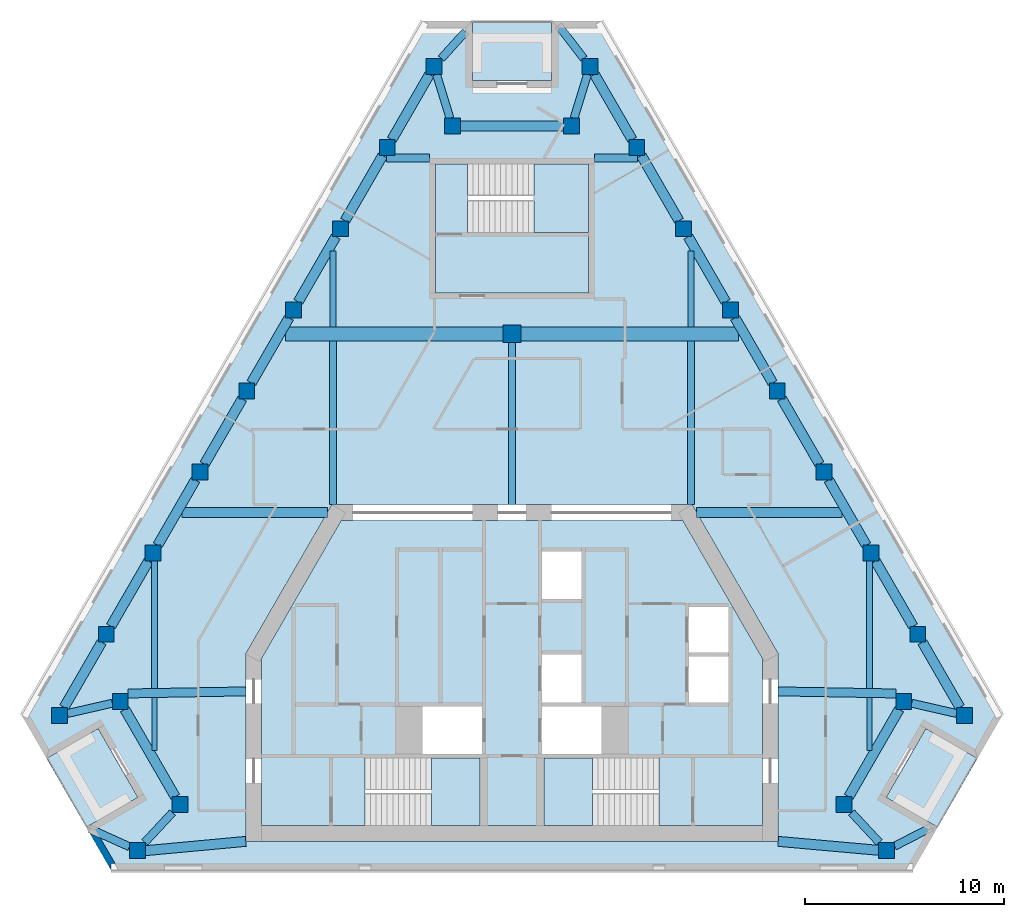
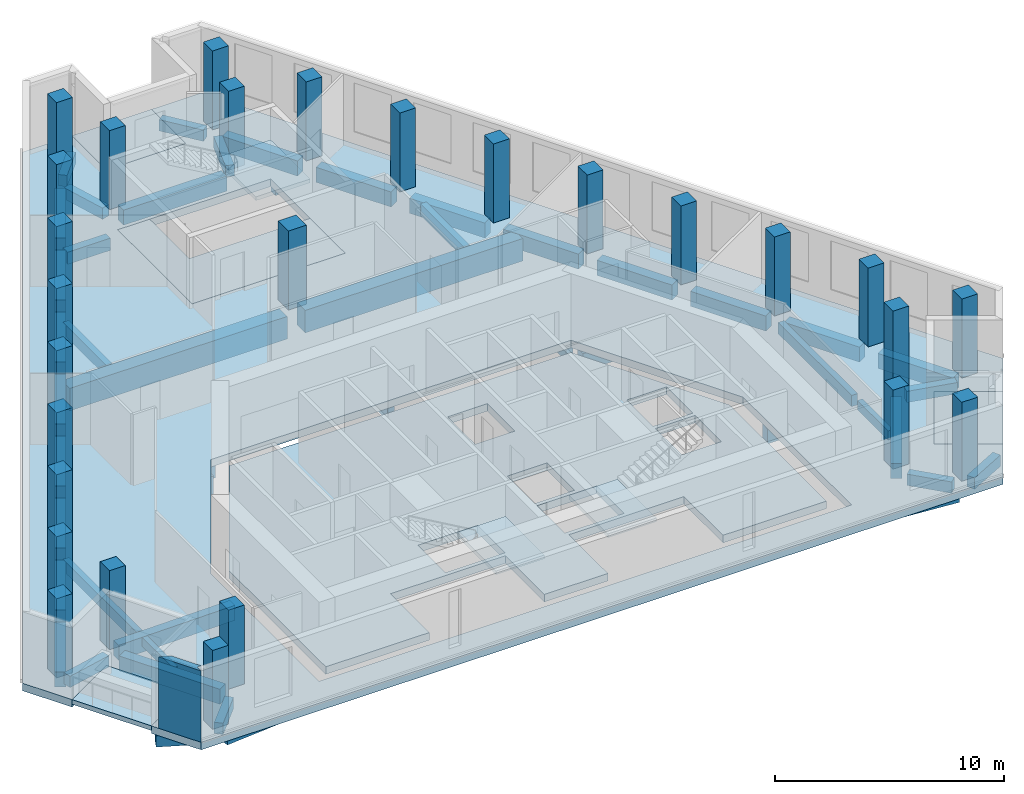
# One storey, part 1 of 8: 48 beams, 27 columns, 9 slabs, 1 wall, 3 elements without a shape of their own.
"""IFC4 building model written with IfcOpenShell, lengths in metres."""

from ifc_helpers import new_model, si_unit, direction, frame, origin, origin_2d, place, context, subcontext, project, spatial, polyline, rectangle, outline, extrude, material, layer, layer_set, material_profile, profile_set, type_object, element, aggregate, save


model = new_model("IFC4")

# Units and contexts
model_context = context("Model", 3, precision=1e-05, world=origin(), true_north=direction((0.0, 1.0)))
body_context = subcontext(model_context, "Body", "Model", "MODEL_VIEW")
ifc_project = project(units=[si_unit("LENGTHUNIT", "METRE"), si_unit("AREAUNIT", "SQUARE_METRE"), si_unit("VOLUMEUNIT", "CUBIC_METRE"), si_unit("PLANEANGLEUNIT", "RADIAN"), si_unit("MASSUNIT", "GRAM", prefix="KILO")], contexts=[model_context])

# Site, building, storey
site_placement = place(None, origin())
site = spatial("IfcSite", under=ifc_project, at=site_placement, CompositionType="ELEMENT")
building_placement = place(site_placement, origin())
building = spatial("IfcBuilding", under=site, at=building_placement, Name="Fogline Exchange Tower", CompositionType="ELEMENT")
storey_placement = place(building_placement, frame((0.0, 0.0, 318.300048828125)))
storey = spatial("IfcBuildingStorey", under=building, at=storey_placement, Name="L72", CompositionType="ELEMENT", Elevation=318.300048828125)

# Columns
ifc_material_1 = material(Name="Concrete C60", Category="concrete")
ifc_material_profile_1 = material_profile(ifc_material_1, rectangle(XDim=0.89990234375, YDim=0.89990234375, at=origin_2d()), Name="RC 900x900")
ifc_profile_set_1 = profile_set([ifc_material_profile_1], Name="Concrete C60")
column_type_1 = type_object("IfcColumnType", Name="C06", PredefinedType="COLUMN", material=ifc_profile_set_1)
column_placement = place(storey_placement, frame((0.0, 27.0, 0.0), z_axis=(0.0, 0.0, 1.0), x_axis=(1.0, 0.0, 0.0)))
element("IfcColumn", 1, at=column_placement, inside=storey, type_object=column_type_1, Name="IC-0-27", PredefinedType="COLUMN", context=body_context, shape_type="SweptSolid", body=[
    extrude(rectangle(XDim=0.89990234375, YDim=0.89990234375, at=origin_2d()), origin(), (0.0, 0.0, 1.0), 4.199951171875),
])
ifc_material_profile_2 = material_profile(ifc_material_1, rectangle(XDim=0.800048828125, YDim=0.800048828125, at=origin_2d()), Name="RC 800x800")
ifc_profile_set_2 = profile_set([ifc_material_profile_2], Name="Concrete C60")
column_type_2 = type_object("IfcColumnType", Name="C07", PredefinedType="COLUMN", material=ifc_profile_set_2)
for number, where, z_axis, x_axis, name in (
    (2, (-22.7802734375, 7.794189453125, 0.0), (0.0, 0.0, 1.0), (1.0, 0.0, 0.0), "SW-a"),
    (3, (-19.720947265625, 8.4951171875, 0.0), (0.0, 0.0, 1.0), (1.0, 0.0, 0.0), "SW-p4"),
    (4, (-16.720947265625, 3.299072265625, 0.0), (0.0, 0.0, 1.0), (1.0, 0.0, 0.0), "SW-p3"),
    (5, (-18.857666015625, 1.0, 0.0), (0.0, 0.0, 1.0), (1.0, 0.0, 0.0), "SW-b"),
    (6, (18.857666015625, 1.0, 0.0), (0.0, 0.0, 1.0), (1.0, 0.0, 0.0), "SE-a"),
    (7, (16.720947265625, 3.299072265625, 0.0), (0.0, 0.0, 1.0), (1.0, 0.0, 0.0), "SE-p4"),
    (8, (19.720947265625, 8.4951171875, 0.0), (0.0, 0.0, 1.0), (1.0, 0.0, 0.0), "SE-p3"),
    (9, (22.7802734375, 7.794189453125, 0.0), (0.0, 0.0, 1.0), (1.0, 0.0, 0.0), "SE-b"),
    (10, (20.423095703125, 11.876953125, 0.0), (0.0, 0.0, 1.0), (1.0, 0.0, 0.0), "E1"),
    (11, (18.06591796875, 15.959716796875, 0.0), (0.0, 0.0, 1.0), (1.0, 0.0, 0.0), "E2"),
    (12, (15.708740234375, 20.04248046875, 0.0), (0.0, 0.0, 1.0), (1.0, 0.0, 0.0), "E3"),
    (13, (13.3515625, 24.12548828125, 0.0), (0.0, 0.0, 1.0), (1.0, 0.0, 0.0), "E4"),
    (14, (10.994384765625, 28.208251953125, 0.0), (0.0, 0.0, 1.0), (1.0, 0.0, 0.0), "E5"),
    (15, (8.63720703125, 32.291015625, 0.0), (0.0, 0.0, 1.0), (1.0, 0.0, 0.0), "E6"),
    (16, (6.27978515625, 36.373779296875, 0.0), (0.0, 0.0, 1.0), (1.0, 0.0, 0.0), "E7"),
    (17, (3.922607421875, 40.456787109375, 0.0), (0.0, 0.0, 1.0), (1.0, 0.0, 0.0), "N-a"),
    (18, (3.0, 37.456787109375, 0.0), (0.0, 0.0, 1.0), (1.0, 0.0, 0.0), "N-p4"),
    (19, (-3.0, 37.456787109375, 0.0), (0.0, 0.0, 1.0), (1.0, 0.0, 0.0), "N-p3"),
    (20, (-3.922607421875, 40.456787109375, 0.0), (0.0, 0.0, 1.0), (1.0, 0.0, 0.0), "N-b"),
    (21, (-6.27978515625, 36.373779296875, 0.0), (0.0, 0.0, 1.0), (1.0, 0.0, 0.0), "W1"),
    (22, (-8.63720703125, 32.291015625, 0.0), (0.0, 0.0, 1.0), (1.0, 0.0, 0.0), "W2"),
    (23, (-10.994384765625, 28.208251953125, 0.0), (0.0, 0.0, 1.0), (1.0, 0.0, 0.0), "W3"),
    (24, (-13.3515625, 24.12548828125, 0.0), (0.0, 0.0, 1.0), (1.0, 0.0, 0.0), "W4"),
    (25, (-15.708740234375, 20.04248046875, 0.0), (0.0, 0.0, 1.0), (1.0, 0.0, 0.0), "W5"),
    (26, (-18.06591796875, 15.959716796875, 0.0), (0.0, 0.0, 1.0), (1.0, 0.0, 0.0), "W6"),
    (27, (-20.423095703125, 11.876953125, 0.0), (0.0, 0.0, 1.0), (1.0, 0.0, 0.0), "W7"),
):
    element("IfcColumn", number, at=place(storey_placement, frame(where, z_axis=z_axis, x_axis=x_axis)), inside=storey, type_object=column_type_2, Name=name, PredefinedType="COLUMN", context=body_context, shape_type="SweptSolid", body=[
        extrude(rectangle(XDim=0.800048828125, YDim=0.800048828125, at=origin_2d()), origin(), (0.0, 0.0, 1.0), 4.199951171875),
    ])

# Beams
ifc_material_2 = material(Name="Concrete C40", Category="concrete")
ifc_material_profile_3 = material_profile(ifc_material_2, rectangle(XDim=0.300048828125, YDim=0.60009765625, at=origin_2d()), Name="RC 300x600")
ifc_profile_set_3 = profile_set([ifc_material_profile_3], Name="Concrete C40")
beam_type_1 = type_object("IfcBeamType", Name="B06", PredefinedType="BEAM", material=ifc_profile_set_3)
beam_1_placement = place(storey_placement, frame((-18.0, 9.1435546875, -0.699951171875), z_axis=(0.0, 1.0, 0.0), x_axis=(-1.0, 0.0, 0.0)))
element("IfcBeam", 28, at=beam_1_placement, inside=storey, type_object=beam_type_1, Name="SB002", PredefinedType="BEAM", context=body_context, shape_type="SweptSolid", body=[
    extrude(rectangle(XDim=0.300048828125, YDim=0.60009765625, at=origin_2d()), origin(), (0.0, 0.0, 1.0), 6.416259765625),
])
for number, where, z_axis, x_axis, name in (
    (29, (-9.0, 27.35009765625, -0.699951171875), (0.0, 1.0, 0.0), (-1.0, 0.0, 0.0), "SB004"),
    (30, (9.0, 27.35009765625, -0.699951171875), (0.0, 1.0, 0.0), (-1.0, 0.0, 0.0), "SB007"),
):
    element("IfcBeam", number, at=place(storey_placement, frame(where, z_axis=z_axis, x_axis=x_axis)), inside=storey, type_object=beam_type_1, Name=name, PredefinedType="BEAM", context=body_context, shape_type="SweptSolid", body=[
        extrude(rectangle(XDim=0.300048828125, YDim=0.60009765625, at=origin_2d()), origin(), (0.0, 0.0, 1.0), 3.812255859375),
    ])
beam_2_placement = place(storey_placement, frame((18.0, 9.1435546875, -0.699951171875), z_axis=(0.0, 1.0, 0.0), x_axis=(-1.0, 0.0, 0.0)))
element("IfcBeam", 31, at=beam_2_placement, inside=storey, type_object=beam_type_1, Name="SB009", PredefinedType="BEAM", context=body_context, shape_type="SweptSolid", body=[
    extrude(rectangle(XDim=0.300048828125, YDim=0.60009765625, at=origin_2d()), origin(), (0.0, 0.0, 1.0), 6.416259765625),
])
ifc_material_profile_4 = material_profile(ifc_material_2, rectangle(XDim=0.25, YDim=0.5, at=origin_2d()), Name="RC 250x500")
ifc_profile_set_4 = profile_set([ifc_material_profile_4], Name="Concrete C40")
beam_type_2 = type_object("IfcBeamType", Name="B08", PredefinedType="BEAM", material=ifc_profile_set_4)
for number, where, z_axis, x_axis, name in (
    (32, (-18.0, 6.014404296875, -0.650146484375), (0.0, 1.0, 0.0), (-1.0, 0.0, 0.0), "SB001"),
    (33, (18.0, 6.014404296875, -0.650146484375), (0.0, 1.0, 0.0), (-1.0, 0.0, 0.0), "SB008"),
):
    element("IfcBeam", number, at=place(storey_placement, frame(where, z_axis=z_axis, x_axis=x_axis)), inside=storey, type_object=beam_type_2, Name=name, PredefinedType="BEAM", context=body_context, shape_type="SweptSolid", body=[
        extrude(rectangle(XDim=0.25, YDim=0.5, at=origin_2d()), origin(), (0.0, 0.0, 1.0), 2.67919921875),
    ])
ifc_material_profile_5 = material_profile(ifc_material_2, rectangle(XDim=0.5, YDim=0.800048828125, at=origin_2d()), Name="RC 500x800")
ifc_profile_set_5 = profile_set([ifc_material_profile_5], Name="Concrete C40")
beam_type_3 = type_object("IfcBeamType", Name="B10", PredefinedType="BEAM", material=ifc_profile_set_5)
beam_3_placement = place(storey_placement, frame((-19.489990234375, 8.09521484375, -0.800048828125), z_axis=(0.499987508774, -0.866032615477, 0.0), x_axis=(0.866032615477, 0.499987508774, 0.0)))
element("IfcBeam", 34, at=beam_3_placement, inside=storey, type_object=beam_type_3, Name="RB002", PredefinedType="BEAM", context=body_context, shape_type="SweptSolid", body=[
    extrude(rectangle(XDim=0.5, YDim=0.800048828125, at=origin_2d()), origin(), (0.0, 0.0, 1.0), 5.076416015625),
])
beam_4_placement = place(storey_placement, frame((-18.457763671875, 0.981689453125, -0.800048828125), z_axis=(0.995741736268, 0.092186737952, 0.0), x_axis=(-0.092186737952, 0.995741736268, 0.0)))
element("IfcBeam", 35, at=beam_4_placement, inside=storey, type_object=beam_type_3, Name="RB004", PredefinedType="BEAM", context=body_context, shape_type="SweptSolid", body=[
    extrude(rectangle(XDim=0.5, YDim=0.800048828125, at=origin_2d()), origin(), (0.0, 0.0, 1.0), 5.07958984375),
])
beam_5_placement = place(storey_placement, frame((13.39990234375, 1.449951171875, -0.800048828125), z_axis=(0.996066324908, -0.088610814153, 0.0), x_axis=(0.088610814153, 0.996066324908, 0.0)))
element("IfcBeam", 36, at=beam_5_placement, inside=storey, type_object=beam_type_3, Name="RB005", PredefinedType="BEAM", context=body_context, shape_type="SweptSolid", body=[
    extrude(rectangle(XDim=0.5, YDim=0.800048828125, at=origin_2d()), origin(), (0.0, 0.0, 1.0), 5.077880859375),
])
beam_6_placement = place(storey_placement, frame((16.951904296875, 3.698974609375, -0.800048828125), z_axis=(0.499987508774, 0.866032615477, 0.0), x_axis=(-0.866032615477, 0.499987508774, 0.0)))
element("IfcBeam", 37, at=beam_6_placement, inside=storey, type_object=beam_type_3, Name="RB007", PredefinedType="BEAM", context=body_context, shape_type="SweptSolid", body=[
    extrude(rectangle(XDim=0.5, YDim=0.800048828125, at=origin_2d()), origin(), (0.0, 0.0, 1.0), 5.076416015625),
])
beam_7_placement = place(storey_placement, frame((22.54931640625, 8.194091796875, -0.800048828125), z_axis=(-0.499969613651, 0.86604294664, 0.0), x_axis=(-0.86604294664, -0.499969613651, 0.0)))
element("IfcBeam", 38, at=beam_7_placement, inside=storey, type_object=beam_type_3, Name="RB009", PredefinedType="BEAM", context=body_context, shape_type="SweptSolid", body=[
    extrude(rectangle(XDim=0.5, YDim=0.800048828125, at=origin_2d()), origin(), (0.0, 0.0, 1.0), 3.790771484375),
])
for number, where, z_axis, x_axis, name in (
    (39, (20.192138671875, 12.277099609375, -0.800048828125), (-0.499997501644, 0.866026846206, 0.0), (-0.866026846206, -0.499997501644, 0.0), "RB010"),
    (40, (17.8349609375, 16.35986328125, -0.800048828125), (-0.499997501644, 0.866026846206, 0.0), (-0.866026846206, -0.499997501644, 0.0), "RB011"),
    (41, (15.477783203125, 20.442626953125, -0.800048828125), (-0.499997501644, 0.866026846206, 0.0), (-0.866026846206, -0.499997501644, 0.0), "RB012"),
):
    element("IfcBeam", number, at=place(storey_placement, frame(where, z_axis=z_axis, x_axis=x_axis)), inside=storey, type_object=beam_type_3, Name=name, PredefinedType="BEAM", context=body_context, shape_type="SweptSolid", body=[
        extrude(rectangle(XDim=0.5, YDim=0.800048828125, at=origin_2d()), origin(), (0.0, 0.0, 1.0), 3.79052734375),
    ])
for number, where, z_axis, x_axis, name in (
    (42, (13.12060546875, 24.525390625, -0.800048828125), (-0.500045805297, 0.865998956469, 0.0), (-0.865998956469, -0.500045805297, 0.0), "RB013"),
    (43, (10.76318359375, 28.608154296875, -0.800048828125), (-0.499969613651, 0.86604294664, 0.0), (-0.86604294664, -0.499969613651, 0.0), "RB014"),
    (44, (8.406005859375, 32.69091796875, -0.800048828125), (-0.499969613651, 0.86604294664, 0.0), (-0.86604294664, -0.499969613651, 0.0), "RB015"),
    (45, (6.048828125, 36.773681640625, -0.800048828125), (-0.499969613651, 0.86604294664, 0.0), (-0.86604294664, -0.499969613651, 0.0), "RB016"),
):
    element("IfcBeam", number, at=place(storey_placement, frame(where, z_axis=z_axis, x_axis=x_axis)), inside=storey, type_object=beam_type_3, Name=name, PredefinedType="BEAM", context=body_context, shape_type="SweptSolid", body=[
        extrude(rectangle(XDim=0.5, YDim=0.800048828125, at=origin_2d()), origin(), (0.0, 0.0, 1.0), 3.790771484375),
    ])
beam_8_placement = place(storey_placement, frame((2.60009765625, 37.456787109375, -0.800048828125), z_axis=(-1.0, 0.0, 0.0), x_axis=(0.0, -1.0, 0.0)))
element("IfcBeam", 46, at=beam_8_placement, inside=storey, type_object=beam_type_3, Name="RB018", PredefinedType="BEAM", context=body_context, shape_type="SweptSolid", body=[
    extrude(rectangle(XDim=0.5, YDim=0.800048828125, at=origin_2d()), origin(), (0.0, 0.0, 1.0), 5.2001953125),
])
for number, where, z_axis, x_axis, name in (
    (47, (-4.153564453125, 40.056640625, -0.800048828125), (-0.499969613651, -0.86604294664, 0.0), (0.86604294664, -0.499969613651, 0.0), "RB020"),
    (48, (-6.5107421875, 35.973876953125, -0.800048828125), (-0.499969613651, -0.86604294664, 0.0), (0.86604294664, -0.499969613651, 0.0), "RB021"),
    (49, (-8.867919921875, 31.89111328125, -0.800048828125), (-0.499969613651, -0.86604294664, 0.0), (0.86604294664, -0.499969613651, 0.0), "RB022"),
    (50, (-11.22509765625, 27.80810546875, -0.800048828125), (-0.500045805297, -0.865998956469, 0.0), (0.865998956469, -0.500045805297, 0.0), "RB023"),
):
    element("IfcBeam", number, at=place(storey_placement, frame(where, z_axis=z_axis, x_axis=x_axis)), inside=storey, type_object=beam_type_3, Name=name, PredefinedType="BEAM", context=body_context, shape_type="SweptSolid", body=[
        extrude(rectangle(XDim=0.5, YDim=0.800048828125, at=origin_2d()), origin(), (0.0, 0.0, 1.0), 3.790771484375),
    ])
for number, where, z_axis, x_axis, name in (
    (51, (-13.58251953125, 23.725341796875, -0.800048828125), (-0.499997501644, -0.866026846206, 0.0), (0.866026846206, -0.499997501644, 0.0), "RB024"),
    (52, (-15.939697265625, 19.642578125, -0.800048828125), (-0.499997501644, -0.866026846206, 0.0), (0.866026846206, -0.499997501644, 0.0), "RB025"),
    (53, (-18.296875, 15.559814453125, -0.800048828125), (-0.499997501644, -0.866026846206, 0.0), (0.866026846206, -0.499997501644, 0.0), "RB026"),
):
    element("IfcBeam", number, at=place(storey_placement, frame(where, z_axis=z_axis, x_axis=x_axis)), inside=storey, type_object=beam_type_3, Name=name, PredefinedType="BEAM", context=body_context, shape_type="SweptSolid", body=[
        extrude(rectangle(XDim=0.5, YDim=0.800048828125, at=origin_2d()), origin(), (0.0, 0.0, 1.0), 3.79052734375),
    ])
beam_9_placement = place(storey_placement, frame((-20.654052734375, 11.47705078125, -0.800048828125), z_axis=(-0.499969613651, -0.86604294664, 0.0), x_axis=(0.86604294664, -0.499969613651, 0.0)))
element("IfcBeam", 54, at=beam_9_placement, inside=storey, type_object=beam_type_3, Name="RB027", PredefinedType="BEAM", context=body_context, shape_type="SweptSolid", body=[
    extrude(rectangle(XDim=0.5, YDim=0.800048828125, at=origin_2d()), origin(), (0.0, 0.0, 1.0), 3.790771484375),
])
ifc_material_profile_6 = material_profile(ifc_material_2, rectangle(XDim=0.39990234375, YDim=0.60009765625, at=origin_2d()), Name="RC 400x600")
ifc_profile_set_6 = profile_set([ifc_material_profile_6], Name="Concrete C40")
beam_type_4 = type_object("IfcBeamType", Name="B11", PredefinedType="BEAM", material=ifc_profile_set_6)
beam_10_placement = place(storey_placement, frame((-22.38037109375, 7.885986328125, -0.699951171875), z_axis=(0.974753812703, 0.223282342834, 0.0), x_axis=(-0.223282342834, 0.974753812703, 0.0)))
element("IfcBeam", 55, at=beam_10_placement, inside=storey, type_object=beam_type_4, Name="RB001", PredefinedType="BEAM", context=body_context, shape_type="SweptSolid", body=[
    extrude(rectangle(XDim=0.39990234375, YDim=0.60009765625, at=origin_2d()), origin(), (0.0, 0.0, 1.0), 2.318115234375),
])
for number, where, z_axis, x_axis, name in (
    (56, (-17.0927734375, 2.89892578125, -0.699951171875), (-0.680743909802, -0.732521487239, 0.0), (0.732521487239, -0.680743909802, 0.0), "RB003"),
    (57, (18.48583984375, 1.39990234375, -0.699951171875), (-0.680743909802, 0.732521487239, 0.0), (-0.732521487239, -0.680743909802, 0.0), "RB006"),
):
    element("IfcBeam", number, at=place(storey_placement, frame(where, z_axis=z_axis, x_axis=x_axis)), inside=storey, type_object=beam_type_4, Name=name, PredefinedType="BEAM", context=body_context, shape_type="SweptSolid", body=[
        extrude(rectangle(XDim=0.39990234375, YDim=0.60009765625, at=origin_2d()), origin(), (0.0, 0.0, 1.0), 2.04638671875),
    ])
beam_11_placement = place(storey_placement, frame((20.120849609375, 8.403564453125, -0.699951171875), z_axis=(0.974753812703, -0.223282342834, 0.0), x_axis=(0.223282342834, 0.974753812703, 0.0)))
element("IfcBeam", 58, at=beam_11_placement, inside=storey, type_object=beam_type_4, Name="RB008", PredefinedType="BEAM", context=body_context, shape_type="SweptSolid", body=[
    extrude(rectangle(XDim=0.39990234375, YDim=0.60009765625, at=origin_2d()), origin(), (0.0, 0.0, 1.0), 2.318115234375),
])
for number, where, z_axis, x_axis, name in (
    (59, (3.799560546875, 40.056640625, -0.699951171875), (-0.293929314998, -0.955827158949, 0.0), (0.955827158949, -0.293929314998, 0.0), "RB017"),
    (60, (-3.123046875, 37.856689453125, -0.699951171875), (-0.293929314998, 0.955827158949, 0.0), (-0.955827158949, -0.293929314998, 0.0), "RB019"),
):
    element("IfcBeam", number, at=place(storey_placement, frame(where, z_axis=z_axis, x_axis=x_axis)), inside=storey, type_object=beam_type_4, Name=name, PredefinedType="BEAM", context=body_context, shape_type="SweptSolid", body=[
        extrude(rectangle(XDim=0.39990234375, YDim=0.60009765625, at=origin_2d()), origin(), (0.0, 0.0, 1.0), 2.301513671875),
    ])
beam_12_placement = place(storey_placement, frame((3.61572265625, 40.856689453125, -0.699951171875), z_axis=(-0.608725000028, 0.793381291903, 0.0), x_axis=(-0.793381291903, -0.608725000028, 0.0)))
element("IfcBeam", 61, at=beam_12_placement, inside=storey, type_object=beam_type_4, Name="SP028", PredefinedType="BEAM", context=body_context, shape_type="SweptSolid", body=[
    extrude(rectangle(XDim=0.39990234375, YDim=0.60009765625, at=origin_2d()), origin(), (0.0, 0.0, 1.0), 2.095703125),
])
beam_13_placement = place(storey_placement, frame((-3.5615234375, 40.856689453125, -0.699951171875), z_axis=(0.670231736152, 0.742151884626, 0.0), x_axis=(-0.742151884626, 0.670231736152, 0.0)))
element("IfcBeam", 62, at=beam_13_placement, inside=storey, type_object=beam_type_4, Name="SP029", PredefinedType="BEAM", context=body_context, shape_type="SweptSolid", body=[
    extrude(rectangle(XDim=0.39990234375, YDim=0.60009765625, at=origin_2d()), origin(), (0.0, 0.0, 1.0), 1.82958984375),
])
beam_14_placement = place(storey_placement, frame((-19.2578125, 1.1806640625, -0.699951171875), z_axis=(-0.911432419254, 0.411449808765, 0.0), x_axis=(-0.411449808765, -0.911432419254, 0.0)))
element("IfcBeam", 63, at=beam_14_placement, inside=storey, type_object=beam_type_4, Name="SP030", PredefinedType="BEAM", context=body_context, shape_type="SweptSolid", body=[
    extrude(rectangle(XDim=0.39990234375, YDim=0.60009765625, at=origin_2d()), origin(), (0.0, 0.0, 1.0), 2.19775390625),
])
beam_15_placement = place(storey_placement, frame((19.2578125, 1.205810546875, -0.699951171875), z_axis=(0.889100961616, 0.457711131668, 0.0), x_axis=(-0.457711131668, 0.889100961616, 0.0)))
element("IfcBeam", 64, at=beam_15_placement, inside=storey, type_object=beam_type_4, Name="SP031", PredefinedType="BEAM", context=body_context, shape_type="SweptSolid", body=[
    extrude(rectangle(XDim=0.39990234375, YDim=0.60009765625, at=origin_2d()), origin(), (0.0, 0.0, 1.0), 2.09619140625),
])
ifc_material_profile_7 = material_profile(ifc_material_2, rectangle(XDim=0.39990234375, YDim=0.64990234375, at=origin_2d()), Name="RC 400x650")
ifc_profile_set_7 = profile_set([ifc_material_profile_7], Name="Concrete C40")
beam_type_5 = type_object("IfcBeamType", Name="B13", PredefinedType="BEAM", material=ifc_profile_set_7)
for number, where, z_axis, x_axis, name in (
    (65, (-6.308349609375, 35.85693359375, -0.72509765625), (1.0, 0.0, 0.0), (0.0, 1.0, 0.0), "GB007"),
    (66, (4.14990234375, 35.85693359375, -0.72509765625), (1.0, 0.0, 0.0), (0.0, 1.0, 0.0), "GB008"),
):
    element("IfcBeam", number, at=place(storey_placement, frame(where, z_axis=z_axis, x_axis=x_axis)), inside=storey, type_object=beam_type_5, Name=name, PredefinedType="BEAM", context=body_context, shape_type="SweptSolid", body=[
        extrude(rectangle(XDim=0.39990234375, YDim=0.64990234375, at=origin_2d()), origin(), (0.0, 0.0, 1.0), 2.158447265625),
    ])
ifc_material_profile_8 = material_profile(ifc_material_2, rectangle(XDim=0.5, YDim=0.949951171875, at=origin_2d()), Name="RC 500x950")
ifc_profile_set_8 = profile_set([ifc_material_profile_8], Name="Concrete C40")
beam_type_6 = type_object("IfcBeamType", Name="B14", PredefinedType="BEAM", material=ifc_profile_set_8)
for number, where, z_axis, x_axis, name in (
    (67, (-16.599365234375, 18.0, -0.875), (1.0, 0.0, 0.0), (0.0, 1.0, 0.0), "GB003"),
    (68, (9.296142578125, 18.0, -0.875), (1.0, 0.0, 0.0), (0.0, 1.0, 0.0), "GB004"),
):
    element("IfcBeam", number, at=place(storey_placement, frame(where, z_axis=z_axis, x_axis=x_axis)), inside=storey, type_object=beam_type_6, Name=name, PredefinedType="BEAM", context=body_context, shape_type="SweptSolid", body=[
        extrude(rectangle(XDim=0.5, YDim=0.949951171875, at=origin_2d()), origin(), (0.0, 0.0, 1.0), 7.30322265625),
    ])
ifc_material_profile_9 = material_profile(ifc_material_2, rectangle(XDim=0.35009765625, YDim=0.64990234375, at=origin_2d()), Name="RC 350x650")
ifc_profile_set_9 = profile_set([ifc_material_profile_9], Name="Concrete C40")
beam_type_7 = type_object("IfcBeamType", Name="B16", PredefinedType="BEAM", material=ifc_profile_set_9)
beam_16_placement = place(storey_placement, frame((-9.0, 18.39990234375, -0.72509765625), z_axis=(0.0, 1.0, 0.0), x_axis=(-1.0, 0.0, 0.0)))
element("IfcBeam", 69, at=beam_16_placement, inside=storey, type_object=beam_type_7, Name="SB003", PredefinedType="BEAM", context=body_context, shape_type="SweptSolid", body=[
    extrude(rectangle(XDim=0.35009765625, YDim=0.64990234375, at=origin_2d()), origin(), (0.0, 0.0, 1.0), 8.25),
])
beam_17_placement = place(storey_placement, frame((0.0, 18.39990234375, -0.72509765625), z_axis=(0.0, 1.0, 0.0), x_axis=(-1.0, 0.0, 0.0)))
element("IfcBeam", 70, at=beam_17_placement, inside=storey, type_object=beam_type_7, Name="SB005", PredefinedType="BEAM", context=body_context, shape_type="SweptSolid", body=[
    extrude(rectangle(XDim=0.35009765625, YDim=0.64990234375, at=origin_2d()), origin(), (0.0, 0.0, 1.0), 8.150146484375),
])
beam_18_placement = place(storey_placement, frame((9.0, 18.39990234375, -0.72509765625), z_axis=(0.0, 1.0, 0.0), x_axis=(-1.0, 0.0, 0.0)))
element("IfcBeam", 71, at=beam_18_placement, inside=storey, type_object=beam_type_7, Name="SB006", PredefinedType="BEAM", context=body_context, shape_type="SweptSolid", body=[
    extrude(rectangle(XDim=0.35009765625, YDim=0.64990234375, at=origin_2d()), origin(), (0.0, 0.0, 1.0), 8.25),
])
ifc_material_profile_10 = material_profile(ifc_material_2, rectangle(XDim=0.699951171875, YDim=1.199951171875, at=origin_2d()), Name="RC 700x1200")
ifc_profile_set_10 = profile_set([ifc_material_profile_10], Name="Concrete C40")
beam_type_8 = type_object("IfcBeamType", Name="B17", PredefinedType="BEAM", material=ifc_profile_set_10)
for number, where, z_axis, x_axis, name in (
    (72, (-11.4033203125, 27.0, -1.0), (1.0, 0.0, 0.0), (0.0, 1.0, 0.0), "GB005"),
    (73, (0.449951171875, 27.0, -1.0), (1.0, 0.0, 0.0), (0.0, 1.0, 0.0), "GB006"),
):
    element("IfcBeam", number, at=place(storey_placement, frame(where, z_axis=z_axis, x_axis=x_axis)), inside=storey, type_object=beam_type_8, Name=name, PredefinedType="BEAM", context=body_context, shape_type="SweptSolid", body=[
        extrude(rectangle(XDim=0.699951171875, YDim=1.199951171875, at=origin_2d()), origin(), (0.0, 0.0, 1.0), 10.953369140625),
    ])
ifc_material_profile_11 = material_profile(ifc_material_2, rectangle(XDim=0.449951171875, YDim=0.800048828125, at=origin_2d()), Name="RC 450x800")
ifc_profile_set_11 = profile_set([ifc_material_profile_11], Name="Concrete C40")
beam_type_9 = type_object("IfcBeamType", Name="B18", PredefinedType="BEAM", material=ifc_profile_set_11)
for number, where, z_axis, x_axis, name in (
    (74, (-19.32080078125, 8.895263671875, -0.800048828125), (0.9998435817, 0.017686495817, 0.0), (-0.017686495817, 0.9998435817, 0.0), "GB001"),
    (75, (13.39990234375, 9.0, -0.800048828125), (0.9998435817, -0.017686495817, 0.0), (0.017686495817, 0.9998435817, 0.0), "GB002"),
):
    element("IfcBeam", number, at=place(storey_placement, frame(where, z_axis=z_axis, x_axis=x_axis)), inside=storey, type_object=beam_type_9, Name=name, PredefinedType="BEAM", context=body_context, shape_type="SweptSolid", body=[
        extrude(rectangle(XDim=0.449951171875, YDim=0.800048828125, at=origin_2d()), origin(), (0.0, 0.0, 1.0), 5.921875),
    ])

# Slabs
ifc_layer_1 = layer(ifc_material_2, 0.25)
ifc_layer_set_1 = layer_set([ifc_layer_1], Name="DK1")
slab_type_1 = type_object("IfcSlabType", Name="DK1", PredefinedType="FLOOR", material=ifc_layer_set_1)
slab_1_placement = place(storey_placement, frame((0.0, 0.0, -0.25)))
element("IfcSlab", 76, at=slab_1_placement, inside=storey, type_object=slab_type_1, Name="Balcony L72 SW", PredefinedType="FLOOR", context=body_context, shape_type="SweptSolid", body=[
    extrude(outline(polyline([(-23.4296875, 5.629150390625), (-21.4296875, 2.1650390625), (-18.831787109375, 3.6650390625), (-20.831787109375, 7.129150390625), (-23.4296875, 5.629150390625)])), origin(), (0.0, 0.0, 1.0), 0.25),
])
slab_2_placement = place(storey_placement, frame((0.0, 0.0, -0.25)))
element("IfcSlab", 77, at=slab_2_placement, inside=storey, type_object=slab_type_1, Name="Balcony L72 SE", PredefinedType="FLOOR", context=body_context, shape_type="SweptSolid", body=[
    extrude(outline(polyline([(21.4296875, 2.1650390625), (23.4296875, 5.629150390625), (20.831787109375, 7.129150390625), (18.831787109375, 3.6650390625), (21.4296875, 2.1650390625)])), origin(), (0.0, 0.0, 1.0), 0.25),
])
slab_3_placement = place(storey_placement, frame((0.0, 0.0, -0.25)))
element("IfcSlab", 78, at=slab_3_placement, inside=storey, type_object=slab_type_1, Name="Balcony L72 N", PredefinedType="FLOOR", context=body_context, shape_type="SweptSolid", body=[
    extrude(outline(polyline([(2.0, 42.74658203125), (-2.0, 42.74658203125), (-2.0, 39.74658203125), (2.0, 39.74658203125), (2.0, 42.74658203125)])), origin(), (0.0, 0.0, 1.0), 0.25),
])
ifc_layer_2 = layer(ifc_material_2, 0.39990234375)
ifc_layer_set_2 = layer_set([ifc_layer_2], Name="S03")
slab_type_2 = type_object("IfcSlabType", Name="S03", PredefinedType="FLOOR", material=ifc_layer_set_2)
slab_4_placement = place(storey_placement, frame((0.0, 0.0, -0.400146484375)))
element("IfcSlab", 79, at=slab_4_placement, inside=storey, type_object=slab_type_2, Name="SLAB L72", PredefinedType="FLOOR", context=body_context, shape_type="SweptSolid", body=[
    extrude(outline(polyline([(-2.0, 42.74658203125), (-4.5, 42.74658203125), (-24.6796875, 7.794189453125), (-23.4296875, 5.629150390625), (-20.831787109375, 7.129150390625), (-18.831787109375, 3.6650390625), (-21.4296875, 2.1650390625), (-20.1796875, 0.0), (20.1796875, 0.0), (21.4296875, 2.1650390625), (18.831787109375, 3.6650390625), (20.831787109375, 7.129150390625), (23.4296875, 5.629150390625), (24.6796875, 7.794189453125), (4.5, 42.74658203125), (2.0, 42.74658203125), (2.0, 39.74658203125), (-2.0, 39.74658203125), (-2.0, 42.74658203125)]), holes=[polyline([(13.39990234375, 10.891845703125), (13.39990234375, 1.449951171875), (-13.39990234375, 1.449951171875), (-13.39990234375, 10.891845703125), (-9.065185546875, 18.39990234375), (9.065185546875, 18.39990234375), (13.39990234375, 10.891845703125)]), polyline([(3.85009765625, 35.556884765625), (3.85009765625, 29.056884765625), (-3.85009765625, 29.056884765625), (-3.85009765625, 35.556884765625), (3.85009765625, 35.556884765625)])]), origin(), (0.0, 0.0, 1.0), 0.400146484375),
])
slab_5_placement = place(storey_placement, frame((0.0, 0.0, -0.400146484375)))
element("IfcSlab", 80, at=slab_5_placement, inside=storey, type_object=slab_type_2, Name="Core floor slab", PredefinedType="FLOOR", context=body_context, shape_type="SweptSolid", body=[
    extrude(outline(polyline([(-12.60009765625, 2.25), (-12.60009765625, 10.677490234375), (-8.603271484375, 17.60009765625), (8.603271484375, 17.60009765625), (12.60009765625, 10.677490234375), (12.60009765625, 2.25), (7.389892578125, 2.25), (7.389892578125, 5.64990234375), (1.60009765625, 5.64990234375), (1.60009765625, 2.25), (-1.60009765625, 2.25), (-1.60009765625, 5.64990234375), (-7.389892578125, 5.64990234375), (-7.389892578125, 2.25), (-12.60009765625, 2.25)]), holes=[polyline([(-4.5, 8.25), (-4.5, 5.85009765625), (-1.5, 5.85009765625), (-1.5, 8.25), (-4.5, 8.25)]), polyline([(1.5, 8.25), (1.5, 5.85009765625), (4.5, 5.85009765625), (4.5, 8.25), (1.5, 8.25)]), polyline([(8.89990234375, 10.75), (8.89990234375, 8.449951171875), (10.89990234375, 8.449951171875), (10.89990234375, 10.75), (8.89990234375, 10.75)]), polyline([(1.5, 10.85009765625), (1.5, 8.449951171875), (3.5, 8.449951171875), (3.5, 10.85009765625), (1.5, 10.85009765625)]), polyline([(8.89990234375, 13.25), (8.89990234375, 10.949951171875), (10.89990234375, 10.949951171875), (10.89990234375, 13.25), (8.89990234375, 13.25)]), polyline([(1.5, 16.050048828125), (1.5, 13.64990234375), (3.5, 13.64990234375), (3.5, 16.050048828125), (1.5, 16.050048828125)])]), origin(), (0.0, 0.0, 1.0), 0.400146484375),
])
slab_6_placement = place(storey_placement, frame((0.0, 0.0, -0.400146484375)))
element("IfcSlab", 81, at=slab_6_placement, inside=storey, type_object=slab_type_2, Name="Stair enclosure floor slab", PredefinedType="FLOOR", context=body_context, shape_type="SweptSolid", body=[
    extrude(outline(polyline([(3.85009765625, 29.056884765625), (-3.85009765625, 29.056884765625), (-3.85009765625, 35.556884765625), (-2.239990234375, 35.556884765625), (-2.239990234375, 32.10693359375), (3.85009765625, 32.10693359375), (3.85009765625, 29.056884765625)])), origin(), (0.0, 0.0, 1.0), 0.400146484375),
])

# Stair, slab
stair_type = type_object("IfcStairType", Name="STR26-1615", PredefinedType="HALF_TURN_STAIR", material=ifc_material_2)
stair_1_placement = place(storey_placement, origin())
stair_1 = element("IfcStair", 82, at=stair_1_placement, inside=storey, type_object=stair_type, Name="Stair ST1", PredefinedType="HALF_TURN_STAIR")
ifc_layer_3 = layer(ifc_material_2, 0.199951171875)
ifc_layer_set_3 = layer_set([ifc_layer_3], Name="SL200")
slab_type_3 = type_object("IfcSlabType", Name="SL200", PredefinedType="LANDING", material=ifc_layer_set_3)
slab_7_placement = place(storey_placement, frame((0.0, 0.0, 1.89990234375)))
slab_7 = element("IfcSlab", 83, at=slab_7_placement, type_object=slab_type_3, Name="ST1 landing 1", PredefinedType="LANDING", context=body_context, shape_type="SweptSolid", body=[
    extrude(outline(polyline([(-4.0400390625, 2.25), (-1.60009765625, 2.25), (-1.60009765625, 5.64990234375), (-4.0400390625, 5.64990234375), (-4.0400390625, 2.25)])), origin(), (0.0, 0.0, 1.0), 0.199951171875),
])
aggregate(stair_1, [slab_7])

stair_2_placement = place(storey_placement, origin())
stair_2 = element("IfcStair", 84, at=stair_2_placement, inside=storey, type_object=stair_type, Name="Stair ST2", PredefinedType="HALF_TURN_STAIR")
slab_8_placement = place(storey_placement, frame((0.0, 0.0, 1.89990234375)))
slab_8 = element("IfcSlab", 85, at=slab_8_placement, type_object=slab_type_3, Name="ST2 landing 1", PredefinedType="LANDING", context=body_context, shape_type="SweptSolid", body=[
    extrude(outline(polyline([(1.60009765625, 2.25), (4.0400390625, 2.25), (4.0400390625, 5.64990234375), (1.60009765625, 5.64990234375), (1.60009765625, 2.25)])), origin(), (0.0, 0.0, 1.0), 0.199951171875),
])
aggregate(stair_2, [slab_8])

stair_3_placement = place(storey_placement, origin())
stair_3 = element("IfcStair", 86, at=stair_3_placement, inside=storey, type_object=stair_type, Name="Stair ST3", PredefinedType="HALF_TURN_STAIR")
slab_9_placement = place(storey_placement, frame((0.0, 0.0, 1.89990234375)))
slab_9 = element("IfcSlab", 87, at=slab_9_placement, type_object=slab_type_3, Name="ST3 landing 1", PredefinedType="LANDING", context=body_context, shape_type="SweptSolid", body=[
    extrude(outline(polyline([(1.110107421875, 32.10693359375), (3.85009765625, 32.10693359375), (3.85009765625, 35.556884765625), (1.110107421875, 35.556884765625), (1.110107421875, 32.10693359375)])), origin(), (0.0, 0.0, 1.0), 0.199951171875),
])
aggregate(stair_3, [slab_9])

# Wall
ifc_material_3 = material(Name="Brick masonry", Category="masonry")
ifc_layer_4 = layer(ifc_material_3, 0.340087890625)
ifc_layer_set_4 = layer_set([ifc_layer_4], Name="FW1")
wall_type = type_object("IfcWallType", Name="FW1", PredefinedType="SOLIDWALL", material=ifc_layer_set_4)
wall_placement = place(storey_placement, origin())
element("IfcWall", 88, at=wall_placement, inside=storey, type_object=wall_type, Name="Brick wall L72 SW-c2", PredefinedType="SOLIDWALL", context=body_context, shape_type="SweptSolid", body=[
    extrude(outline(polyline([(-20.17919921875, 0.33935546875), (-20.17919921875, -0.0009765625), (-20.1796875, -0.001220703125), (-21.25634765625, 1.863525390625), (-20.723388671875, 1.623046875), (-19.982421875, 0.33935546875), (-20.17919921875, 0.33935546875)])), origin(), (0.0, 0.0, 1.0), 3.800048828125),
])

save(model, "model.ifc")
